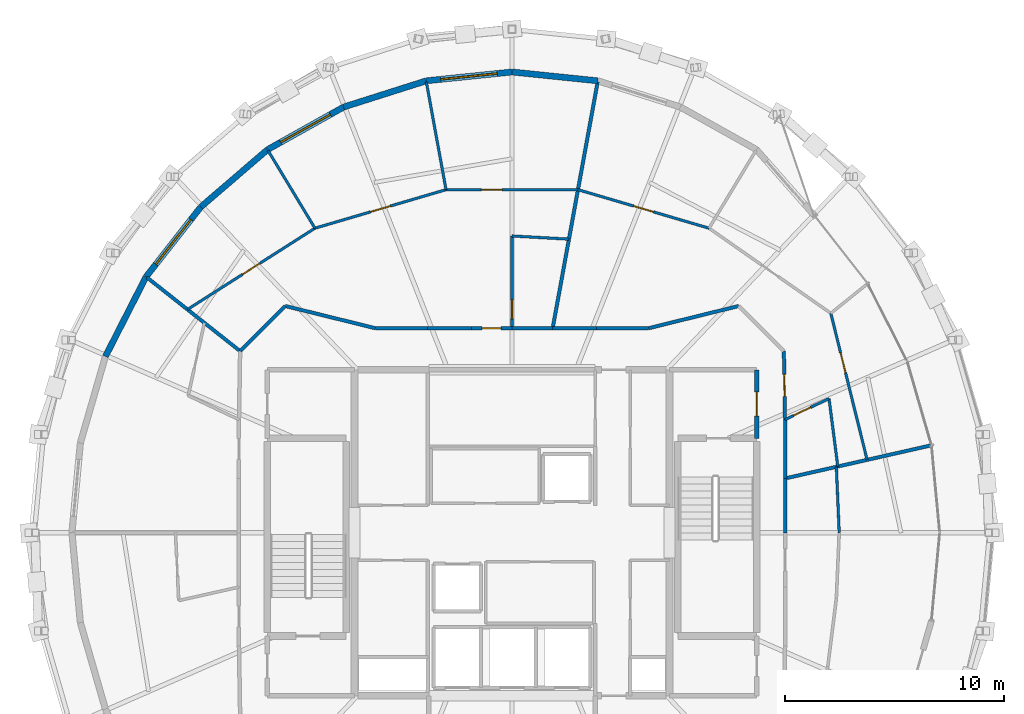
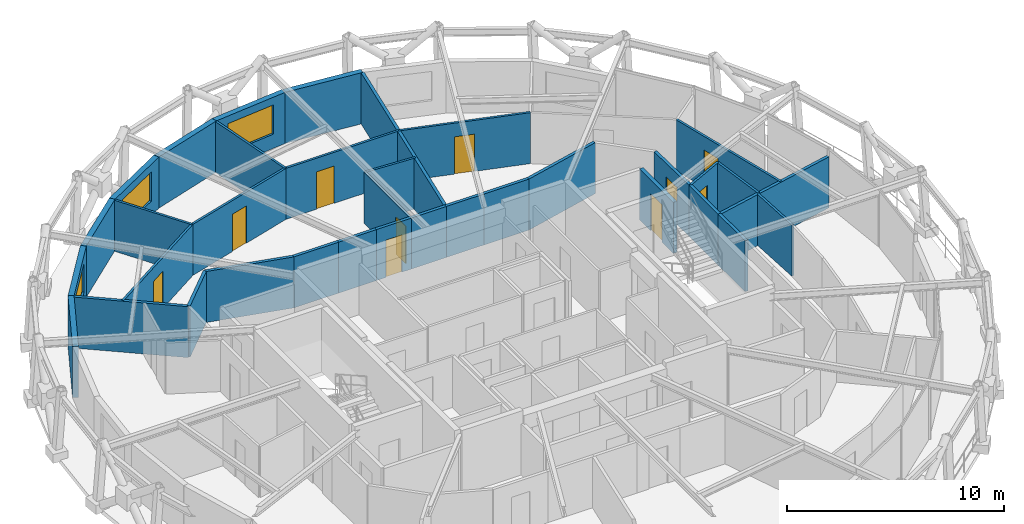
# One storey, part 13 of 15: 35 walls, 10 doors, 3 windows, 13 openings.
"""IFC4 building model written with IfcOpenShell, lengths in metres."""

from ifc_helpers import new_model, si_unit, direction, frame, frame_2d, origin, place, context, subcontext, project, spatial, rectangle, extrude, material, layer, layer_set, type_object, element, fill, save


model = new_model("IFC4")

# Units and contexts
model_context = context("Model", 3, precision=1e-05, world=origin(), true_north=direction((0.0, 1.0)))
body_context = subcontext(model_context, "Body", "Model", "MODEL_VIEW")
ifc_project = project(units=[si_unit("LENGTHUNIT", "METRE"), si_unit("AREAUNIT", "SQUARE_METRE"), si_unit("VOLUMEUNIT", "CUBIC_METRE"), si_unit("PLANEANGLEUNIT", "RADIAN"), si_unit("MASSUNIT", "GRAM", prefix="KILO")], contexts=[model_context])

# Site, building, storey
site_placement = place(None, origin())
site = spatial("IfcSite", under=ifc_project, at=site_placement, CompositionType="ELEMENT")
building_placement = place(site_placement, origin())
building = spatial("IfcBuilding", under=site, at=building_placement, Name="Veldorina Hangang Commons", CompositionType="ELEMENT")
storey_placement = place(building_placement, frame((0.0, 0.0, 261.60009765625)))
storey = spatial("IfcBuildingStorey", under=building, at=storey_placement, Name="L68", CompositionType="ELEMENT", Elevation=261.60009765625)

# Wall
ifc_material_1 = material(Name="Stone Roman Travertine", Category="masonry")
ifc_layer_1 = layer(ifc_material_1, 0.280029296875)
ifc_layer_set_1 = layer_set([ifc_layer_1], Name="Stone Roman Travertine")
wall_type_1 = type_object("IfcWallType", Name="EW-TRAV-280", PredefinedType="STANDARD", material=ifc_layer_set_1)
wall_1_placement = place(storey_placement, frame((35.92431640625, 44.656494140625, 0.0), z_axis=(0.0, 0.0, 1.0), x_axis=(-0.994722327851, 0.10260355976, 0.0)))
element("IfcWall", 1, at=wall_1_placement, inside=storey, type_object=wall_type_1, Name="L68 travertine facade wall 07", PredefinedType="STANDARD", context=body_context, shape_type="SweptSolid", body=[
    extrude(rectangle(XDim=3.945068359375, YDim=0.280029296875, at=frame_2d((1.97265625, 0.0))), origin(), (0.0, 0.0, 1.0), 2.8798828125),
])

# Wall, opening, window
wall_2_placement = place(storey_placement, frame((32.0, 45.061279296875, 0.0), z_axis=(0.0, 0.0, 1.0), x_axis=(-0.994722327851, -0.10260355976, 0.0)))
wall_2 = element("IfcWall", 2, at=wall_2_placement, inside=storey, type_object=wall_type_1, Name="L68 travertine facade wall 08", PredefinedType="STANDARD", context=body_context, shape_type="SweptSolid", body=[
    extrude(rectangle(XDim=3.945068359375, YDim=0.280029296875, at=frame_2d((1.97265625, 0.0))), origin(), (0.0, 0.0, 1.0), 2.8798828125),
])
opening_1_placement = place(wall_2_placement, frame((0.672607421875, 0.0, 0.800048828125)))
opening_1 = element("IfcOpeningElement", 3, at=opening_1_placement, cuts=wall_2, Name="Opening W-02", PredefinedType="OPENING", context=body_context, shape_type="SweptSolid", body=[
    extrude(rectangle(XDim=2.60009765625, YDim=1.64990234375, at=frame_2d((1.300048828125, 0.824951171875))), frame((0.0, 0.14990234375, 0.0), z_axis=(0.0, -1.0, 0.0), x_axis=(1.0, 0.0, 0.0)), (0.0, 0.0, 1.0), 0.300048828125),
])
ifc_material_2 = material(Name="Glass Low-E Triple IGU", Category="glass")
window_type = type_object("IfcWindowType", Name="WIN-TWR-2600", PartitioningType="SINGLE_PANEL", PredefinedType="WINDOW", material=ifc_material_2)
window_1_placement = place(opening_1_placement, origin())
window_1 = element("IfcWindow", 4, at=window_1_placement, inside=storey, type_object=window_type, Name="L68 facade window 08", OverallHeight=1.64990234375, OverallWidth=2.60009765625, PartitioningType="SINGLE_PANEL", PredefinedType="WINDOW", context=body_context, shape_type="SweptSolid", body=[
    extrude(rectangle(XDim=2.60009765625, YDim=1.64990234375, at=frame_2d((1.300048828125, 0.824951171875))), frame((0.0, 0.030029296875, 0.0), z_axis=(0.0, -1.0, 0.0), x_axis=(1.0, 0.0, 0.0)), (0.0, 0.0, 1.0), 0.06005859375),
])
fill(opening_1, window_1)

# Wall
wall_3_placement = place(storey_placement, frame((28.07568359375, 44.656494140625, 0.0), z_axis=(0.0, 0.0, 1.0), x_axis=(-0.953082762893, -0.302709839741, 0.0)))
element("IfcWall", 5, at=wall_3_placement, inside=storey, type_object=wall_type_1, Name="L68 travertine facade wall 09", PredefinedType="STANDARD", context=body_context, shape_type="SweptSolid", body=[
    extrude(rectangle(XDim=3.959228515625, YDim=0.280029296875, at=frame_2d((1.9794921875, 0.0))), origin(), (0.0, 0.0, 1.0), 2.8798828125),
])

# Wall, opening, window
wall_4_placement = place(storey_placement, frame((24.30224609375, 43.4580078125, 0.0), z_axis=(0.0, 0.0, 1.0), x_axis=(-0.872627171538, -0.488386956719, 0.0)))
wall_4 = element("IfcWall", 6, at=wall_4_placement, inside=storey, type_object=wall_type_1, Name="L68 travertine facade wall 10", PredefinedType="STANDARD", context=body_context, shape_type="SweptSolid", body=[
    extrude(rectangle(XDim=3.985107421875, YDim=0.280029296875, at=frame_2d((1.99267578125, 0.0))), origin(), (0.0, 0.0, 1.0), 2.8798828125),
])
opening_2_placement = place(wall_4_placement, frame((0.692626953125, 0.0, 0.800048828125)))
opening_2 = element("IfcOpeningElement", 7, at=opening_2_placement, cuts=wall_4, Name="Opening W-02", PredefinedType="OPENING", context=body_context, shape_type="SweptSolid", body=[
    extrude(rectangle(XDim=2.60009765625, YDim=1.64990234375, at=frame_2d((1.300048828125, 0.824951171875))), frame((0.0, 0.14990234375, 0.0), z_axis=(0.0, -1.0, 0.0), x_axis=(1.0, 0.0, 0.0)), (0.0, 0.0, 1.0), 0.300048828125),
])
window_2_placement = place(opening_2_placement, origin())
window_2 = element("IfcWindow", 8, at=window_2_placement, inside=storey, type_object=window_type, Name="L68 facade window 10", OverallHeight=1.64990234375, OverallWidth=2.60009765625, PartitioningType="SINGLE_PANEL", PredefinedType="WINDOW", context=body_context, shape_type="SweptSolid", body=[
    extrude(rectangle(XDim=2.60009765625, YDim=1.64990234375, at=frame_2d((1.300048828125, 0.824951171875))), frame((0.0, 0.030029296875, 0.0), z_axis=(0.0, -1.0, 0.0), x_axis=(1.0, 0.0, 0.0)), (0.0, 0.0, 1.0), 0.06005859375),
])
fill(opening_2, window_2)

# Wall
wall_5_placement = place(storey_placement, frame((20.82470703125, 41.51171875, 0.0), z_axis=(0.0, 0.0, 1.0), x_axis=(-0.758458425967, -0.651721425212, 0.0)))
element("IfcWall", 9, at=wall_5_placement, inside=storey, type_object=wall_type_1, Name="L68 travertine facade wall 11", PredefinedType="STANDARD", context=body_context, shape_type="SweptSolid", body=[
    extrude(rectangle(XDim=4.018798828125, YDim=0.280029296875, at=frame_2d((2.00927734375, 0.0))), origin(), (0.0, 0.0, 1.0), 2.8798828125),
])

# Wall, opening, window
wall_6_placement = place(storey_placement, frame((17.776611328125, 38.892578125, 0.0), z_axis=(0.0, 0.0, 1.0), x_axis=(-0.616903837432, -0.787038534864, 0.0)))
wall_6 = element("IfcWall", 10, at=wall_6_placement, inside=storey, type_object=wall_type_1, Name="L68 travertine facade wall 12", PredefinedType="STANDARD", context=body_context, shape_type="SweptSolid", body=[
    extrude(rectangle(XDim=4.05517578125, YDim=0.280029296875, at=frame_2d((2.027587890625, 0.0))), origin(), (0.0, 0.0, 1.0), 2.8798828125),
])
opening_3_placement = place(wall_6_placement, frame((0.7275390625, 0.0, 0.800048828125)))
opening_3 = element("IfcOpeningElement", 11, at=opening_3_placement, cuts=wall_6, Name="Opening W-02", PredefinedType="OPENING", context=body_context, shape_type="SweptSolid", body=[
    extrude(rectangle(XDim=2.60009765625, YDim=1.64990234375, at=frame_2d((1.300048828125, 0.824951171875))), frame((0.0, 0.14990234375, 0.0), z_axis=(0.0, -1.0, 0.0), x_axis=(1.0, 0.0, 0.0)), (0.0, 0.0, 1.0), 0.300048828125),
])
window_3_placement = place(opening_3_placement, origin())
window_3 = element("IfcWindow", 12, at=window_3_placement, inside=storey, type_object=window_type, Name="L68 facade window 12", OverallHeight=1.64990234375, OverallWidth=2.60009765625, PartitioningType="SINGLE_PANEL", PredefinedType="WINDOW", context=body_context, shape_type="SweptSolid", body=[
    extrude(rectangle(XDim=2.60009765625, YDim=1.64990234375, at=frame_2d((1.300048828125, 0.824951171875))), frame((0.0, 0.030029296875, 0.0), z_axis=(0.0, -1.0, 0.0), x_axis=(1.0, 0.0, 0.0)), (0.0, 0.0, 1.0), 0.06005859375),
])
fill(opening_3, window_3)

# Walls
wall_7_placement = place(storey_placement, frame((15.27490234375, 35.700927734375, 0.0), z_axis=(0.0, 0.0, 1.0), x_axis=(-0.454698544749, -0.89064540273, 0.0)))
element("IfcWall", 13, at=wall_7_placement, inside=storey, type_object=wall_type_1, Name="L68 travertine facade wall 13", PredefinedType="STANDARD", context=body_context, shape_type="SweptSolid", body=[
    extrude(rectangle(XDim=4.088134765625, YDim=0.280029296875, at=frame_2d((2.0439453125, 0.0))), origin(), (0.0, 0.0, 1.0), 2.8798828125),
])
ifc_material_3 = material(Name="Gypsum Fire-Rated Twin Stud Wall", Category="gypsum")
ifc_layer_2 = layer(ifc_material_3, 0.159912109375)
ifc_layer_set_2 = layer_set([ifc_layer_2], Name="Gypsum Fire-Rated Twin Stud Wall")
wall_type_2 = type_object("IfcWallType", Name="WL-FIRE-160", PredefinedType="SOLIDWALL", material=ifc_layer_set_2)
wall_8_placement = place(storey_placement, frame((44.47998046875, 24.0, 0.0), z_axis=(0.0, 0.0, 1.0), x_axis=(0.0, 1.0, 0.0)))
element("IfcWall", 14, at=wall_8_placement, inside=storey, type_object=wall_type_2, Name="L68 Compact collar outer wall 00 050", PredefinedType="SOLIDWALL", context=body_context, shape_type="SweptSolid", body=[
    extrude(rectangle(XDim=2.482421875, YDim=0.159912109375, at=frame_2d((1.2412109375, 0.0))), origin(), (0.0, 0.0, 1.0), 2.869873046875),
])
wall_9_placement = place(storey_placement, frame((44.47998046875, 26.482421875, 0.0), z_axis=(0.0, 0.0, 1.0), x_axis=(0.0, 1.0, 0.0)))
element("IfcWall", 15, at=wall_9_placement, inside=storey, type_object=wall_type_2, Name="L68 Compact collar outer wall 01 051", PredefinedType="SOLIDWALL", context=body_context, shape_type="SweptSolid", body=[
    extrude(rectangle(XDim=2.68701171875, YDim=0.159912109375, at=frame_2d((1.343505859375, 0.0))), origin(), (0.0, 0.0, 1.0), 2.869873046875),
])

# Wall, opening, door
wall_10_placement = place(storey_placement, frame((44.47998046875, 29.16943359375, 0.0), z_axis=(0.0, 0.0, 1.0), x_axis=(-0.016981035134, 0.999855811828, 0.0)))
wall_10 = element("IfcWall", 16, at=wall_10_placement, inside=storey, type_object=wall_type_2, Name="L68 Compact collar outer wall 02 052", PredefinedType="SOLIDWALL", context=body_context, shape_type="SweptSolid", body=[
    extrude(rectangle(XDim=3.13427734375, YDim=0.159912109375, at=frame_2d((1.567138671875, 0.0))), origin(), (0.0, 0.0, 1.0), 2.869873046875),
])
opening_4_placement = place(wall_10_placement, frame((1.067138671875, 0.0, 0.0)))
opening_4 = element("IfcOpeningElement", 17, at=opening_4_placement, cuts=wall_10, Name="Opening D-06", PredefinedType="OPENING", context=body_context, shape_type="SweptSolid", body=[
    extrude(rectangle(XDim=1.0, YDim=2.10009765625, at=frame_2d((0.5, 1.050048828125))), frame((0.0, 0.08984375, 0.0), z_axis=(0.0, -1.0, 0.0), x_axis=(1.0, 0.0, 0.0)), (0.0, 0.0, 1.0), 0.179931640625),
])
ifc_material_4 = material(Name="Timber Fire-Rated Entrance Core", Category="wood")
door_type_1 = type_object("IfcDoorType", Name="DR-UNIT-1000", OperationType="SINGLE_SWING_LEFT", PredefinedType="DOOR", material=ifc_material_4)
door_1_placement = place(opening_4_placement, origin())
door_1 = element("IfcDoor", 18, at=door_1_placement, inside=storey, type_object=door_type_1, Name="L68 Cluster 2 entrance door 021", OperationType="SINGLE_SWING_LEFT", OverallHeight=2.10009765625, OverallWidth=1.0, PredefinedType="DOOR", context=body_context, shape_type="SweptSolid", body=[
    extrude(rectangle(XDim=1.0, YDim=2.10009765625, at=frame_2d((0.5, 1.050048828125))), frame((0.0, 0.02490234375, 0.0), z_axis=(0.0, -1.0, 0.0), x_axis=(1.0, 0.0, 0.0)), (0.0, 0.0, 1.0), 0.050048828125),
])
fill(opening_4, door_1)

# Walls
wall_11_placement = place(storey_placement, frame((42.364990234375, 34.364990234375, 0.0), z_axis=(0.0, 0.0, 1.0), x_axis=(-0.970939799552, -0.239323850978, 0.0)))
element("IfcWall", 19, at=wall_11_placement, inside=storey, type_object=wall_type_2, Name="L68 Compact collar outer wall 04 054", PredefinedType="SOLIDWALL", context=body_context, shape_type="SweptSolid", body=[
    extrude(rectangle(XDim=4.24072265625, YDim=0.159912109375, at=frame_2d((2.120361328125, 0.0))), origin(), (0.0, 0.0, 1.0), 2.869873046875),
])
wall_12_placement = place(storey_placement, frame((38.24755859375, 33.35009765625, 0.0), z_axis=(0.0, 0.0, 1.0), x_axis=(-1.0, 0.0, 0.0)))
element("IfcWall", 20, at=wall_12_placement, inside=storey, type_object=wall_type_2, Name="L68 Compact collar outer wall 05 055", PredefinedType="SOLIDWALL", context=body_context, shape_type="SweptSolid", body=[
    extrude(rectangle(XDim=2.374755859375, YDim=0.159912109375, at=frame_2d((1.1875, 0.0))), origin(), (0.0, 0.0, 1.0), 2.869873046875),
])
wall_13_placement = place(storey_placement, frame((35.872802734375, 33.35009765625, 0.0), z_axis=(0.0, 0.0, 1.0), x_axis=(-1.0, 0.0, 0.0)))
element("IfcWall", 21, at=wall_13_placement, inside=storey, type_object=wall_type_2, Name="L68 Compact collar outer wall 06 056", PredefinedType="SOLIDWALL", context=body_context, shape_type="SweptSolid", body=[
    extrude(rectangle(XDim=2.012939453125, YDim=0.159912109375, at=frame_2d((1.00634765625, 0.0))), origin(), (0.0, 0.0, 1.0), 2.869873046875),
])
wall_14_placement = place(storey_placement, frame((33.85986328125, 33.35009765625, 0.0), z_axis=(0.0, 0.0, 1.0), x_axis=(-1.0, 0.0, 0.0)))
element("IfcWall", 22, at=wall_14_placement, inside=storey, type_object=wall_type_2, Name="L68 Compact collar outer wall 07 057", PredefinedType="SOLIDWALL", context=body_context, shape_type="SweptSolid", body=[
    extrude(rectangle(XDim=1.85986328125, YDim=0.159912109375, at=frame_2d((0.929931640625, 0.0))), origin(), (0.0, 0.0, 1.0), 2.869873046875),
])

# Wall, opening, door
wall_15_placement = place(storey_placement, frame((32.0, 33.35009765625, 0.0), z_axis=(0.0, 0.0, 1.0), x_axis=(-1.0, 0.0, 0.0)))
wall_15 = element("IfcWall", 23, at=wall_15_placement, inside=storey, type_object=wall_type_2, Name="L68 Compact collar outer wall 08 058", PredefinedType="SOLIDWALL", context=body_context, shape_type="SweptSolid", body=[
    extrude(rectangle(XDim=1.85986328125, YDim=0.159912109375, at=frame_2d((0.929931640625, 0.0))), origin(), (0.0, 0.0, 1.0), 2.869873046875),
])
opening_5_placement = place(wall_15_placement, frame((0.5, 0.0, 0.0)))
opening_5 = element("IfcOpeningElement", 24, at=opening_5_placement, cuts=wall_15, Name="Opening D-01N", PredefinedType="OPENING", context=body_context, shape_type="SweptSolid", body=[
    extrude(rectangle(XDim=0.860107421875, YDim=2.10009765625, at=frame_2d((0.43017578125, 1.050048828125))), frame((0.0, 0.08984375, 0.0), z_axis=(0.0, -1.0, 0.0), x_axis=(1.0, 0.0, 0.0)), (0.0, 0.0, 1.0), 0.179931640625),
])
ifc_material_5 = material(Name="Timber Fire-Rated Core", Category="wood")
door_type_2 = type_object("IfcDoorType", Name="DR-INT-860", OperationType="SINGLE_SWING_LEFT", PredefinedType="DOOR", material=ifc_material_5)
door_2_placement = place(opening_5_placement, origin())
door_2 = element("IfcDoor", 25, at=door_2_placement, inside=storey, type_object=door_type_2, Name="L68 Cluster 3 entrance door 026", OperationType="SINGLE_SWING_RIGHT", OverallHeight=2.10009765625, OverallWidth=0.860107421875, PredefinedType="DOOR", context=body_context, shape_type="SweptSolid", body=[
    extrude(rectangle(XDim=0.860107421875, YDim=2.10009765625, at=frame_2d((0.43017578125, 1.050048828125))), frame((0.0, 0.02490234375, 0.0), z_axis=(0.0, -1.0, 0.0), x_axis=(1.0, 0.0, 0.0)), (0.0, 0.0, 1.0), 0.050048828125),
])
fill(opening_5, door_2)

# Walls
wall_16_placement = place(storey_placement, frame((30.14013671875, 33.35009765625, 0.0), z_axis=(0.0, 0.0, 1.0), x_axis=(-1.0, 0.0, 0.0)))
element("IfcWall", 26, at=wall_16_placement, inside=storey, type_object=wall_type_2, Name="L68 Compact collar outer wall 09 059", PredefinedType="SOLIDWALL", context=body_context, shape_type="SweptSolid", body=[
    extrude(rectangle(XDim=2.012939453125, YDim=0.159912109375, at=frame_2d((1.00634765625, 0.0))), origin(), (0.0, 0.0, 1.0), 2.869873046875),
])
wall_17_placement = place(storey_placement, frame((28.127197265625, 33.35009765625, 0.0), z_axis=(0.0, 0.0, 1.0), x_axis=(-1.0, 0.0, 0.0)))
element("IfcWall", 27, at=wall_17_placement, inside=storey, type_object=wall_type_2, Name="L68 Compact collar outer wall 10 060", PredefinedType="SOLIDWALL", context=body_context, shape_type="SweptSolid", body=[
    extrude(rectangle(XDim=2.374755859375, YDim=0.159912109375, at=frame_2d((1.1875, 0.0))), origin(), (0.0, 0.0, 1.0), 2.869873046875),
])
wall_18_placement = place(storey_placement, frame((25.75244140625, 33.35009765625, 0.0), z_axis=(0.0, 0.0, 1.0), x_axis=(-0.970939799552, 0.239323850978, 0.0)))
element("IfcWall", 28, at=wall_18_placement, inside=storey, type_object=wall_type_2, Name="L68 Compact collar outer wall 11 061", PredefinedType="SOLIDWALL", context=body_context, shape_type="SweptSolid", body=[
    extrude(rectangle(XDim=4.24072265625, YDim=0.159912109375, at=frame_2d((2.120361328125, 0.0))), origin(), (0.0, 0.0, 1.0), 2.869873046875),
])
wall_19_placement = place(storey_placement, frame((21.635009765625, 34.364990234375, 0.0), z_axis=(0.0, 0.0, 1.0), x_axis=(-0.707106781187, -0.707106781187, 0.0)))
element("IfcWall", 29, at=wall_19_placement, inside=storey, type_object=wall_type_2, Name="L68 Compact collar outer wall 12 062", PredefinedType="SOLIDWALL", context=body_context, shape_type="SweptSolid", body=[
    extrude(rectangle(XDim=2.915771484375, YDim=0.159912109375, at=frame_2d((1.4580078125, 0.0))), origin(), (0.0, 0.0, 1.0), 2.869873046875),
])
wall_20_placement = place(storey_placement, frame((44.47998046875, 26.482421875, 0.0), z_axis=(0.0, 0.0, 1.0), x_axis=(0.975303841196, 0.220867420298, 0.0)))
element("IfcWall", 30, at=wall_20_placement, inside=storey, type_object=wall_type_2, Name="L68 Unit party wall 01 087", PredefinedType="SOLIDWALL", context=body_context, shape_type="SweptSolid", body=[
    extrude(rectangle(XDim=6.819091796875, YDim=0.159912109375, at=frame_2d((3.40966796875, 0.0))), origin(), (0.0, 0.0, 1.0), 2.869873046875),
])
wall_21_placement = place(storey_placement, frame((33.85986328125, 33.35009765625, 0.0), z_axis=(0.0, 0.0, 1.0), x_axis=(0.17961571379, 0.9837368527, 0.0)))
element("IfcWall", 31, at=wall_21_placement, inside=storey, type_object=wall_type_2, Name="L68 Unit party wall 07 095", PredefinedType="SOLIDWALL", context=body_context, shape_type="SweptSolid", body=[
    extrude(rectangle(XDim=11.443359375, YDim=0.159912109375, at=frame_2d((5.7216796875, 0.0))), origin(), (0.0, 0.0, 1.0), 2.869873046875),
])
wall_22_placement = place(storey_placement, frame((19.5732421875, 32.30322265625, 0.0), z_axis=(0.0, 0.0, 1.0), x_axis=(-0.784496994248, 0.6201326197, 0.0)))
element("IfcWall", 32, at=wall_22_placement, inside=storey, type_object=wall_type_2, Name="L68 Unit party wall 13 103", PredefinedType="SOLIDWALL", context=body_context, shape_type="SweptSolid", body=[
    extrude(rectangle(XDim=5.428955078125, YDim=0.159912109375, at=frame_2d((2.71435546875, 0.0))), origin(), (0.0, 0.0, 1.0), 2.869873046875),
])

# Wall, opening, door
ifc_material_6 = material(Name="Concrete Blockwork Fire Wall C30/37", Category="masonry")
ifc_layer_3 = layer(ifc_material_6, 0.199951171875)
ifc_layer_set_3 = layer_set([ifc_layer_3], Name="Concrete Blockwork Fire Wall C30/37")
wall_type_3 = type_object("IfcWallType", Name="WL-FIRE-200", PredefinedType="SOLIDWALL", material=ifc_layer_set_3)
wall_23_placement = place(storey_placement, frame((43.179931640625, 28.320068359375, 0.0), z_axis=(0.0, 0.0, 1.0), x_axis=(0.0, 1.0, 0.0)))
wall_23 = element("IfcWall", 33, at=wall_23_placement, inside=storey, type_object=wall_type_3, Name="L68 East vestibule outer wall 003", PredefinedType="SOLIDWALL", context=body_context, shape_type="SweptSolid", body=[
    extrude(rectangle(XDim=3.1298828125, YDim=0.199951171875, at=frame_2d((1.56494140625, 0.0))), origin(), (0.0, 0.0, 1.0), 2.869873046875),
])
opening_6_placement = place(wall_23_placement, frame((1.014892578125, 0.0, 0.0)))
opening_6 = element("IfcOpeningElement", 34, at=opening_6_placement, cuts=wall_23, Name="Opening D-08", PredefinedType="OPENING", context=body_context, shape_type="SweptSolid", body=[
    extrude(rectangle(XDim=1.10009765625, YDim=2.10009765625, at=frame_2d((0.550048828125, 1.050048828125))), frame((0.0, 0.10986328125, 0.0), z_axis=(0.0, -1.0, 0.0), x_axis=(1.0, 0.0, 0.0)), (0.0, 0.0, 1.0), 0.219970703125),
])
ifc_material_7 = material(Name="Steel Fire-Rated Smoke Seal", Category="steel")
door_type_3 = type_object("IfcDoorType", Name="DR-FIRE-1100", OperationType="SINGLE_SWING_RIGHT", PredefinedType="DOOR", material=ifc_material_7)
door_3_placement = place(opening_6_placement, origin())
door_3 = element("IfcDoor", 35, at=door_3_placement, inside=storey, type_object=door_type_3, Name="L68 East vestibule east door 002", OperationType="SINGLE_SWING_RIGHT", OverallHeight=2.10009765625, OverallWidth=1.10009765625, PredefinedType="DOOR", context=body_context, shape_type="SweptSolid", body=[
    extrude(rectangle(XDim=1.10009765625, YDim=2.10009765625, at=frame_2d((0.550048828125, 1.050048828125))), frame((0.0, 0.02490234375, 0.0), z_axis=(0.0, -1.0, 0.0), x_axis=(1.0, 0.0, 0.0)), (0.0, 0.0, 1.0), 0.050048828125),
])
fill(opening_6, door_3)

# Walls
ifc_material_8 = material(Name="Gypsum Acoustic Stud Partition", Category="gypsum")
ifc_layer_4 = layer(ifc_material_8, 0.1201171875)
ifc_layer_set_4 = layer_set([ifc_layer_4], Name="Gypsum Acoustic Stud Partition")
wall_type_4 = type_object("IfcWallType", Name="WL-PART-120", PredefinedType="PARTITIONING", material=ifc_layer_set_4)
wall_24_placement = place(storey_placement, frame((46.956298828125, 24.0, 0.0), z_axis=(0.0, 0.0, 1.0), x_axis=(-0.043626899023, 0.999047893587, 0.0)))
element("IfcWall", 36, at=wall_24_placement, inside=storey, type_object=wall_type_4, Name="L68 Lounge alcove split 3 086", PredefinedType="PARTITIONING", context=body_context, shape_type="SweptSolid", body=[
    extrude(rectangle(XDim=3.016357421875, YDim=0.1201171875, at=frame_2d((1.50830078125, 0.0))), origin(), (0.0, 0.0, 1.0), 2.869873046875),
])
wall_25_placement = place(storey_placement, frame((46.891845703125, 27.028564453125, 0.0), z_axis=(0.0, 0.0, 1.0), x_axis=(-0.127998561857, 0.991774353451, 0.0)))
element("IfcWall", 37, at=wall_25_placement, inside=storey, type_object=wall_type_4, Name="L68 Cluster 2 bath front wall 088", PredefinedType="PARTITIONING", context=body_context, shape_type="SweptSolid", body=[
    extrude(rectangle(XDim=3.1298828125, YDim=0.1201171875, at=frame_2d((1.56494140625, 0.0))), origin(), (0.0, 0.0, 1.0), 2.869873046875),
])

# Wall, opening, door
wall_26_placement = place(storey_placement, frame((44.47998046875, 29.16943359375, 0.0), z_axis=(0.0, 0.0, 1.0), x_axis=(0.901874681434, 0.431997753452, 0.0)))
wall_26 = element("IfcWall", 38, at=wall_26_placement, inside=storey, type_object=wall_type_4, Name="L68 Cluster 2 bath side wall 089", PredefinedType="PARTITIONING", context=body_context, shape_type="SweptSolid", body=[
    extrude(rectangle(XDim=2.22998046875, YDim=0.1201171875, at=frame_2d((1.114990234375, 0.0))), origin(), (0.0, 0.0, 1.0), 2.869873046875),
])
opening_7_placement = place(wall_26_placement, frame((0.43994140625, 0.0, 0.0)))
opening_7 = element("IfcOpeningElement", 39, at=opening_7_placement, cuts=wall_26, Name="Opening D-01", PredefinedType="OPENING", context=body_context, shape_type="SweptSolid", body=[
    extrude(rectangle(XDim=0.860107421875, YDim=2.10009765625, at=frame_2d((0.43017578125, 1.050048828125))), frame((0.0, 0.070068359375, 0.0), z_axis=(0.0, -1.0, 0.0), x_axis=(1.0, 0.0, 0.0)), (0.0, 0.0, 1.0), 0.14013671875),
])
ifc_material_9 = material(Name="Timber Moisture-Resistant Core", Category="wood")
door_type_4 = type_object("IfcDoorType", Name="DR-WET-860", OperationType="SINGLE_SWING_LEFT", PredefinedType="DOOR", material=ifc_material_9)
door_4_placement = place(opening_7_placement, origin())
door_4 = element("IfcDoor", 40, at=door_4_placement, inside=storey, type_object=door_type_4, Name="L68 Cluster 2 shared bathroom door 020", OperationType="SINGLE_SWING_RIGHT", OverallHeight=2.10009765625, OverallWidth=0.860107421875, PredefinedType="DOOR", context=body_context, shape_type="SweptSolid", body=[
    extrude(rectangle(XDim=0.860107421875, YDim=2.10009765625, at=frame_2d((0.43017578125, 1.050048828125))), frame((0.0, 0.02490234375, 0.0), z_axis=(0.0, -1.0, 0.0), x_axis=(1.0, 0.0, 0.0)), (0.0, 0.0, 1.0), 0.050048828125),
])
fill(opening_7, door_4)

wall_27_placement = place(storey_placement, frame((48.231689453125, 27.33203125, 0.0), z_axis=(0.0, 0.0, 1.0), x_axis=(-0.240321088177, 0.970693450363, 0.0)))
wall_27 = element("IfcWall", 41, at=wall_27_placement, inside=storey, type_object=wall_type_4, Name="L68 Cluster 2 bed 1 front wall 090", PredefinedType="PARTITIONING", context=body_context, shape_type="SweptSolid", body=[
    extrude(rectangle(XDim=6.902099609375, YDim=0.1201171875, at=frame_2d((3.451171875, 0.0))), origin(), (0.0, 0.0, 1.0), 2.869873046875),
])
opening_8_placement = place(wall_27_placement, frame((4.091796875, 0.0, 0.0)))
opening_8 = element("IfcOpeningElement", 42, at=opening_8_placement, cuts=wall_27, Name="Opening D-02", PredefinedType="OPENING", context=body_context, shape_type="SweptSolid", body=[
    extrude(rectangle(XDim=0.949951171875, YDim=2.10009765625, at=frame_2d((0.47509765625, 1.050048828125))), frame((0.0, 0.070068359375, 0.0), z_axis=(0.0, -1.0, 0.0), x_axis=(1.0, 0.0, 0.0)), (0.0, 0.0, 1.0), 0.14013671875),
])
ifc_material_10 = material(Name="Timber Solid Core Acoustic", Category="wood")
door_type_5 = type_object("IfcDoorType", Name="DR-INT-950", OperationType="SINGLE_SWING_LEFT", PredefinedType="DOOR", material=ifc_material_10)
door_5_placement = place(opening_8_placement, origin())
door_5 = element("IfcDoor", 43, at=door_5_placement, inside=storey, type_object=door_type_5, Name="L68 Cluster 2 bed 1 door 022", OperationType="SINGLE_SWING_RIGHT", OverallHeight=2.10009765625, OverallWidth=0.949951171875, PredefinedType="DOOR", context=body_context, shape_type="SweptSolid", body=[
    extrude(rectangle(XDim=0.949951171875, YDim=2.10009765625, at=frame_2d((0.47509765625, 1.050048828125))), frame((0.0, 0.02490234375, 0.0), z_axis=(0.0, -1.0, 0.0), x_axis=(1.0, 0.0, 0.0)), (0.0, 0.0, 1.0), 0.050048828125),
])
fill(opening_8, door_5)

wall_28_placement = place(storey_placement, frame((41.007080078125, 37.920654296875, 0.0), z_axis=(0.0, 0.0, 1.0), x_axis=(-0.959414668212, 0.281999103578, 0.0)))
wall_28 = element("IfcWall", 44, at=wall_28_placement, inside=storey, type_object=wall_type_4, Name="L68 Cluster 2 bed 3 front wall 093", PredefinedType="PARTITIONING", context=body_context, shape_type="SweptSolid", body=[
    extrude(rectangle(XDim=6.24462890625, YDim=0.1201171875, at=frame_2d((3.122314453125, 0.0))), origin(), (0.0, 0.0, 1.0), 2.869873046875),
])
opening_9_placement = place(wall_28_placement, frame((2.647216796875, 0.0, 0.0)))
opening_9 = element("IfcOpeningElement", 45, at=opening_9_placement, cuts=wall_28, Name="Opening D-02", PredefinedType="OPENING", context=body_context, shape_type="SweptSolid", body=[
    extrude(rectangle(XDim=0.949951171875, YDim=2.10009765625, at=frame_2d((0.47509765625, 1.050048828125))), frame((0.0, 0.070068359375, 0.0), z_axis=(0.0, -1.0, 0.0), x_axis=(1.0, 0.0, 0.0)), (0.0, 0.0, 1.0), 0.14013671875),
])
door_6_placement = place(opening_9_placement, origin())
door_6 = element("IfcDoor", 46, at=door_6_placement, inside=storey, type_object=door_type_5, Name="L68 Cluster 2 bed 3 door 024", OperationType="SINGLE_SWING_RIGHT", OverallHeight=2.10009765625, OverallWidth=0.949951171875, PredefinedType="DOOR", context=body_context, shape_type="SweptSolid", body=[
    extrude(rectangle(XDim=0.949951171875, YDim=2.10009765625, at=frame_2d((0.47509765625, 1.050048828125))), frame((0.0, 0.02490234375, 0.0), z_axis=(0.0, -1.0, 0.0), x_axis=(1.0, 0.0, 0.0)), (0.0, 0.0, 1.0), 0.050048828125),
])
fill(opening_9, door_6)

# Wall
wall_29_placement = place(storey_placement, frame((34.60302734375, 37.42041015625, 0.0), z_axis=(0.0, 0.0, 1.0), x_axis=(-0.998441277422, 0.055812324268, 0.0)))
element("IfcWall", 47, at=wall_29_placement, inside=storey, type_object=wall_type_4, Name="L68 Cluster 3 bath front wall 096", PredefinedType="PARTITIONING", context=body_context, shape_type="SweptSolid", body=[
    extrude(rectangle(XDim=2.607177734375, YDim=0.1201171875, at=frame_2d((1.3037109375, 0.0))), origin(), (0.0, 0.0, 1.0), 2.869873046875),
])

# Wall, opening, door
wall_30_placement = place(storey_placement, frame((32.0, 33.35009765625, 0.0), z_axis=(0.0, 0.0, 1.0), x_axis=(0.0, 1.0, 0.0)))
wall_30 = element("IfcWall", 48, at=wall_30_placement, inside=storey, type_object=wall_type_4, Name="L68 Cluster 3 bath side wall 097", PredefinedType="PARTITIONING", context=body_context, shape_type="SweptSolid", body=[
    extrude(rectangle(XDim=4.2158203125, YDim=0.1201171875, at=frame_2d((2.10791015625, 0.0))), origin(), (0.0, 0.0, 1.0), 2.869873046875),
])
opening_10_placement = place(wall_30_placement, frame((0.43994140625, 0.0, 0.0)))
opening_10 = element("IfcOpeningElement", 49, at=opening_10_placement, cuts=wall_30, Name="Opening D-01", PredefinedType="OPENING", context=body_context, shape_type="SweptSolid", body=[
    extrude(rectangle(XDim=0.860107421875, YDim=2.10009765625, at=frame_2d((0.43017578125, 1.050048828125))), frame((0.0, 0.070068359375, 0.0), z_axis=(0.0, -1.0, 0.0), x_axis=(1.0, 0.0, 0.0)), (0.0, 0.0, 1.0), 0.14013671875),
])
door_7_placement = place(opening_10_placement, origin())
door_7 = element("IfcDoor", 50, at=door_7_placement, inside=storey, type_object=door_type_4, Name="L68 Cluster 3 shared bathroom door 025", OperationType="SINGLE_SWING_LEFT", OverallHeight=2.10009765625, OverallWidth=0.860107421875, PredefinedType="DOOR", context=body_context, shape_type="SweptSolid", body=[
    extrude(rectangle(XDim=0.860107421875, YDim=2.10009765625, at=frame_2d((0.43017578125, 1.050048828125))), frame((0.0, 0.02490234375, 0.0), z_axis=(0.0, -1.0, 0.0), x_axis=(1.0, 0.0, 0.0)), (0.0, 0.0, 1.0), 0.050048828125),
])
fill(opening_10, door_7)

wall_31_placement = place(storey_placement, frame((35.015869140625, 39.681640625, 0.0), z_axis=(0.0, 0.0, 1.0), x_axis=(-1.0, 0.0, 0.0)))
wall_31 = element("IfcWall", 51, at=wall_31_placement, inside=storey, type_object=wall_type_4, Name="L68 Cluster 3 bed 1 front wall 098", PredefinedType="PARTITIONING", context=body_context, shape_type="SweptSolid", body=[
    extrude(rectangle(XDim=6.03173828125, YDim=0.1201171875, at=frame_2d((3.015869140625, 0.0))), origin(), (0.0, 0.0, 1.0), 2.869873046875),
])
opening_11_placement = place(wall_31_placement, frame((3.46533203125, 0.0, 0.0)))
opening_11 = element("IfcOpeningElement", 52, at=opening_11_placement, cuts=wall_31, Name="Opening D-02", PredefinedType="OPENING", context=body_context, shape_type="SweptSolid", body=[
    extrude(rectangle(XDim=0.949951171875, YDim=2.10009765625, at=frame_2d((0.47509765625, 1.050048828125))), frame((0.0, 0.070068359375, 0.0), z_axis=(0.0, -1.0, 0.0), x_axis=(1.0, 0.0, 0.0)), (0.0, 0.0, 1.0), 0.14013671875),
])
door_8_placement = place(opening_11_placement, origin())
door_8 = element("IfcDoor", 53, at=door_8_placement, inside=storey, type_object=door_type_5, Name="L68 Cluster 3 bed 1 door 027", OperationType="SINGLE_SWING_LEFT", OverallHeight=2.10009765625, OverallWidth=0.949951171875, PredefinedType="DOOR", context=body_context, shape_type="SweptSolid", body=[
    extrude(rectangle(XDim=0.949951171875, YDim=2.10009765625, at=frame_2d((0.47509765625, 1.050048828125))), frame((0.0, 0.02490234375, 0.0), z_axis=(0.0, -1.0, 0.0), x_axis=(1.0, 0.0, 0.0)), (0.0, 0.0, 1.0), 0.050048828125),
])
fill(opening_11, door_8)

wall_32_placement = place(storey_placement, frame((28.984130859375, 39.681640625, 0.0), z_axis=(0.0, 0.0, 1.0), x_axis=(-0.959414668212, -0.281999103578, 0.0)))
wall_32 = element("IfcWall", 54, at=wall_32_placement, inside=storey, type_object=wall_type_4, Name="L68 Cluster 3 bed 2 front wall 099", PredefinedType="PARTITIONING", context=body_context, shape_type="SweptSolid", body=[
    extrude(rectangle(XDim=6.24462890625, YDim=0.1201171875, at=frame_2d((3.122314453125, 0.0))), origin(), (0.0, 0.0, 1.0), 2.869873046875),
])
opening_12_placement = place(wall_32_placement, frame((2.647216796875, 0.0, 0.0)))
opening_12 = element("IfcOpeningElement", 55, at=opening_12_placement, cuts=wall_32, Name="Opening D-02", PredefinedType="OPENING", context=body_context, shape_type="SweptSolid", body=[
    extrude(rectangle(XDim=0.949951171875, YDim=2.10009765625, at=frame_2d((0.47509765625, 1.050048828125))), frame((0.0, 0.070068359375, 0.0), z_axis=(0.0, -1.0, 0.0), x_axis=(1.0, 0.0, 0.0)), (0.0, 0.0, 1.0), 0.14013671875),
])
door_9_placement = place(opening_12_placement, origin())
door_9 = element("IfcDoor", 56, at=door_9_placement, inside=storey, type_object=door_type_5, Name="L68 Cluster 3 bed 2 door 028", OperationType="SINGLE_SWING_RIGHT", OverallHeight=2.10009765625, OverallWidth=0.949951171875, PredefinedType="DOOR", context=body_context, shape_type="SweptSolid", body=[
    extrude(rectangle(XDim=0.949951171875, YDim=2.10009765625, at=frame_2d((0.47509765625, 1.050048828125))), frame((0.0, 0.02490234375, 0.0), z_axis=(0.0, -1.0, 0.0), x_axis=(1.0, 0.0, 0.0)), (0.0, 0.0, 1.0), 0.050048828125),
])
fill(opening_12, door_9)

# Wall
wall_33_placement = place(storey_placement, frame((28.984130859375, 39.681640625, 0.0), z_axis=(0.0, 0.0, 1.0), x_axis=(-0.179623384496, 0.983735452112, 0.0)))
element("IfcWall", 57, at=wall_33_placement, inside=storey, type_object=wall_type_4, Name="L68 Cluster 3 bed divider 1 100", PredefinedType="PARTITIONING", context=body_context, shape_type="SweptSolid", body=[
    extrude(rectangle(XDim=5.00732421875, YDim=0.1201171875, at=frame_2d((2.503662109375, 0.0))), origin(), (0.0, 0.0, 1.0), 2.869873046875),
])

# Wall, opening, door
wall_34_placement = place(storey_placement, frame((22.992919921875, 37.920654296875, 0.0), z_axis=(0.0, 0.0, 1.0), x_axis=(-0.843220391553, -0.537568015482, 0.0)))
wall_34 = element("IfcWall", 58, at=wall_34_placement, inside=storey, type_object=wall_type_4, Name="L68 Cluster 3 bed 3 front wall 101", PredefinedType="PARTITIONING", context=body_context, shape_type="SweptSolid", body=[
    extrude(rectangle(XDim=6.909912109375, YDim=0.1201171875, at=frame_2d((3.455078125, 0.0))), origin(), (0.0, 0.0, 1.0), 2.869873046875),
])
opening_13_placement = place(wall_34_placement, frame((2.97998046875, 0.0, 0.0)))
opening_13 = element("IfcOpeningElement", 59, at=opening_13_placement, cuts=wall_34, Name="Opening D-02", PredefinedType="OPENING", context=body_context, shape_type="SweptSolid", body=[
    extrude(rectangle(XDim=0.949951171875, YDim=2.10009765625, at=frame_2d((0.47509765625, 1.050048828125))), frame((0.0, 0.070068359375, 0.0), z_axis=(0.0, -1.0, 0.0), x_axis=(1.0, 0.0, 0.0)), (0.0, 0.0, 1.0), 0.14013671875),
])
door_10_placement = place(opening_13_placement, origin())
door_10 = element("IfcDoor", 60, at=door_10_placement, inside=storey, type_object=door_type_5, Name="L68 Cluster 3 bed 3 door 029", OperationType="SINGLE_SWING_LEFT", OverallHeight=2.10009765625, OverallWidth=0.949951171875, PredefinedType="DOOR", context=body_context, shape_type="SweptSolid", body=[
    extrude(rectangle(XDim=0.949951171875, YDim=2.10009765625, at=frame_2d((0.47509765625, 1.050048828125))), frame((0.0, 0.02490234375, 0.0), z_axis=(0.0, -1.0, 0.0), x_axis=(1.0, 0.0, 0.0)), (0.0, 0.0, 1.0), 0.050048828125),
])
fill(opening_13, door_10)

# Wall
wall_35_placement = place(storey_placement, frame((22.992919921875, 37.920654296875, 0.0), z_axis=(0.0, 0.0, 1.0), x_axis=(-0.516901675456, 0.856044775646, 0.0)))
element("IfcWall", 61, at=wall_35_placement, inside=storey, type_object=wall_type_4, Name="L68 Cluster 3 bed divider 2 102", PredefinedType="PARTITIONING", context=body_context, shape_type="SweptSolid", body=[
    extrude(rectangle(XDim=4.14501953125, YDim=0.1201171875, at=frame_2d((2.072509765625, 0.0))), origin(), (0.0, 0.0, 1.0), 2.869873046875),
])

save(model, "model.ifc")
